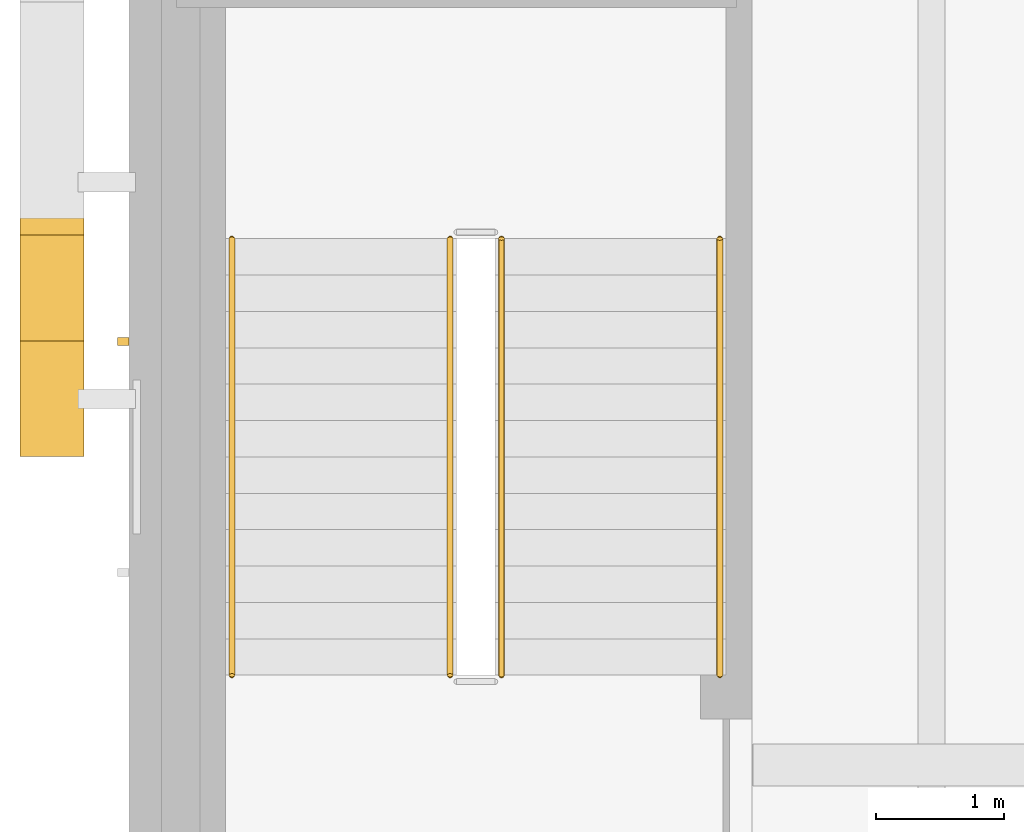
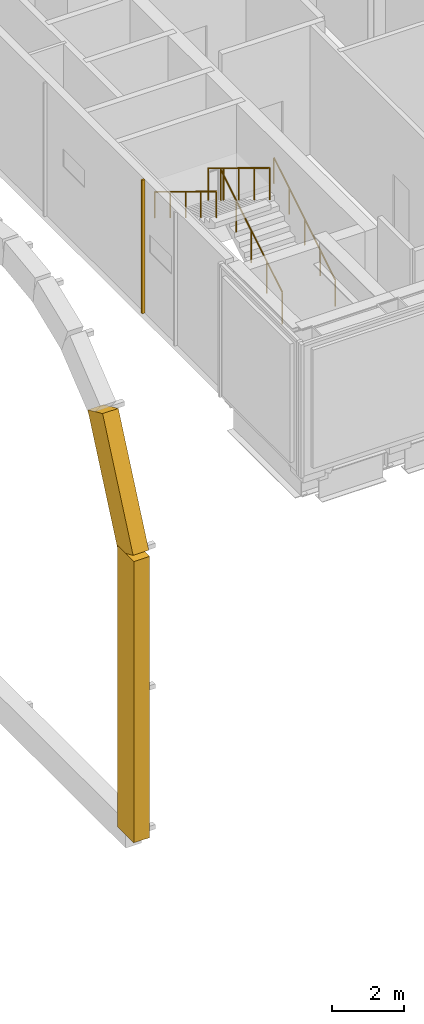
# One storey, part 17 of 26: 4 railings, 3 coverings.
"""IFC4 building model written with IfcOpenShell, lengths in metres."""

from ifc_helpers import new_model, si_unit, direction, frame, origin, origin_2d, place, context, subcontext, project, spatial, rectangle, circle, extrude, material, material_profile, profile_set, type_object, element, save


model = new_model("IFC4")

# Units and contexts
model_context = context("Model", 3, precision=1e-05, world=origin(), true_north=direction((0.0, 1.0)))
body_context = subcontext(model_context, "Body", "Model", "MODEL_VIEW")
ifc_project = project(units=[si_unit("LENGTHUNIT", "METRE"), si_unit("AREAUNIT", "SQUARE_METRE"), si_unit("VOLUMEUNIT", "CUBIC_METRE"), si_unit("PLANEANGLEUNIT", "RADIAN"), si_unit("MASSUNIT", "GRAM", prefix="KILO")], contexts=[model_context])

# Site, building, storey
site_placement = place(None, origin())
site = spatial("IfcSite", under=ifc_project, at=site_placement, CompositionType="ELEMENT")
building_placement = place(site_placement, origin())
building = spatial("IfcBuilding", under=site, at=building_placement, Name="Cobrizo Arcos Hotel Tower", CompositionType="ELEMENT")
storey_placement = place(building_placement, frame((0.0, 0.0, 236.5)))
storey = spatial("IfcBuildingStorey", under=building, at=storey_placement, Name="L62", CompositionType="ELEMENT", Elevation=236.5)

# Coverings
ifc_material_1 = material(Name="Aluminium 6063-T6 anodised pale", Category="aluminium")
ifc_material_profile = material_profile(ifc_material_1, rectangle(XDim=0.5, YDim=0.89990234375, at=origin_2d()), Name="AF-2 core arch rim 500x900")
ifc_profile_set = profile_set([ifc_material_profile], Name="Aluminium 6063-T6 anodised pale")
covering_type_1 = type_object("IfcCoveringType", Name="AF-2 core arch rim 500x900", PredefinedType="CLADDING", material=ifc_profile_set)
covering_1_placement = place(storey_placement, frame((-21.25, -6.748291015625, -7.5615234375), z_axis=(0.0, 0.409445476845, 0.912334588565), x_axis=(-1.0, 0.0, 0.0)))
element("IfcCovering", 1, at=covering_1_placement, inside=storey, type_object=covering_type_1, Name="Arch rim C W face", PredefinedType="CLADDING", context=body_context, shape_type="SweptSolid", body=[
    extrude(rectangle(XDim=0.5, YDim=0.89990234375, at=origin_2d()), origin(), (0.0, 0.0, 1.0), 4.1201171875),
])
covering_2_placement = place(storey_placement, frame((-21.25, -6.748291015625, -17.050048828125), z_axis=(0.0, 0.0, 1.0), x_axis=(1.0, 0.0, 0.0)))
element("IfcCovering", 2, at=covering_2_placement, inside=storey, type_object=covering_type_1, Name="Arch rim C W face", PredefinedType="CLADDING", context=body_context, shape_type="SweptSolid", body=[
    extrude(rectangle(XDim=0.5, YDim=0.89990234375, at=origin_2d()), origin(), (0.0, 0.0, 1.0), 9.488525390625),
])
covering_type_2 = type_object("IfcCoveringType", Name="RS-1 rainscreen rib 60x90", PredefinedType="CLADDING", material=ifc_material_1)
covering_3_placement = place(storey_placement, frame((-20.695068359375, -6.300048828125, 0.0), z_axis=(0.0, 0.0, 1.0), x_axis=(0.0, -1.0, 0.0)))
element("IfcCovering", 3, at=covering_3_placement, inside=storey, type_object=covering_type_2, Name="Rainscreen rib 91", PredefinedType="CLADDING", context=body_context, shape_type="SweptSolid", body=[
    extrude(rectangle(XDim=0.06005859375, YDim=0.090087890625, at=origin_2d()), origin(), (0.0, 0.0, 1.0), 4.5),
])

# Railings
ifc_material_2 = material(Name="Stainless steel railing", Category="steel")
railing_type_1 = type_object("IfcRailingType", Name="Stair guard 1100", PredefinedType="GUARDRAIL", material=ifc_material_2)
railing_1_placement = place(storey_placement, frame((-17.75, -8.89990234375, 0.173095703125)))
element("IfcRailing", 4, at=railing_1_placement, inside=storey, type_object=railing_type_1, Name="L62 ST-W stair guard 1", PredefinedType="GUARDRAIL", context=body_context, shape_type="SweptSolid", body=[
    extrude(circle(Radius=0.02392578125, at=origin_2d()), frame((0.0, 0.0, 1.076171875), z_axis=(0.0, 0.853372706543, 0.52130127923), x_axis=(-1.0, 0.0, 0.0)), (0.0, 0.0, 1.0), 3.984130859375),
    extrude(circle(Radius=0.02099609375, at=origin_2d()), origin(), (0.0, 0.0, 1.0), 1.052001953125),
    extrude(circle(Radius=0.02099609375, at=origin_2d()), frame((0.0, 0.85009765625, 0.519287109375)), (0.0, 0.0, 1.0), 1.052001953125),
    extrude(circle(Radius=0.02099609375, at=origin_2d()), frame((0.0, 1.699951171875, 1.03857421875)), (0.0, 0.0, 1.0), 1.052001953125),
    extrude(circle(Radius=0.02099609375, at=origin_2d()), frame((0.0, 2.5498046875, 1.5576171875)), (0.0, 0.0, 1.0), 1.052001953125),
    extrude(circle(Radius=0.02099609375, at=origin_2d()), frame((0.0, 3.39990234375, 2.076904296875)), (0.0, 0.0, 1.0), 1.052001953125),
])
railing_2_placement = place(storey_placement, frame((-18.14990234375, -5.5, 2.423095703125)))
element("IfcRailing", 5, at=railing_2_placement, inside=storey, type_object=railing_type_1, Name="L62 ST-W stair guard 3", PredefinedType="GUARDRAIL", context=body_context, shape_type="SweptSolid", body=[
    extrude(circle(Radius=0.02392578125, at=origin_2d()), frame((0.0, 0.0, 1.076171875), z_axis=(0.0, -0.853372706543, 0.52130127923), x_axis=(1.0, 0.0, 0.0)), (0.0, 0.0, 1.0), 3.984130859375),
    extrude(circle(Radius=0.02099609375, at=origin_2d()), origin(), (0.0, 0.0, 1.0), 1.052001953125),
    extrude(circle(Radius=0.02099609375, at=origin_2d()), frame((0.0, -0.85009765625, 0.519287109375)), (0.0, 0.0, 1.0), 1.052001953125),
    extrude(circle(Radius=0.02099609375, at=origin_2d()), frame((0.0, -1.699951171875, 1.03857421875)), (0.0, 0.0, 1.0), 1.052001953125),
    extrude(circle(Radius=0.02099609375, at=origin_2d()), frame((0.0, -2.5498046875, 1.5576171875)), (0.0, 0.0, 1.0), 1.052001953125),
    extrude(circle(Radius=0.02099609375, at=origin_2d()), frame((0.0, -3.39990234375, 2.076904296875)), (0.0, 0.0, 1.0), 1.052001953125),
])
railing_type_2 = type_object("IfcRailingType", Name="Stair handrail", PredefinedType="HANDRAIL", material=ifc_material_2)
railing_3_placement = place(storey_placement, frame((-16.050048828125, -8.89990234375, 0.173095703125)))
element("IfcRailing", 6, at=railing_3_placement, inside=storey, type_object=railing_type_2, Name="L62 ST-W stair handrail 1", PredefinedType="HANDRAIL", context=body_context, shape_type="SweptSolid", body=[
    extrude(circle(Radius=0.02392578125, at=origin_2d()), frame((0.0, 0.0, 0.8759765625), z_axis=(0.0, 0.853372706543, 0.52130127923), x_axis=(-1.0, 0.0, 0.0)), (0.0, 0.0, 1.0), 3.984130859375),
    extrude(circle(Radius=0.02099609375, at=origin_2d()), origin(), (0.0, 0.0, 1.0), 0.851806640625),
    extrude(circle(Radius=0.02099609375, at=origin_2d()), frame((0.0, 0.85009765625, 0.519287109375)), (0.0, 0.0, 1.0), 0.851806640625),
    extrude(circle(Radius=0.02099609375, at=origin_2d()), frame((0.0, 1.699951171875, 1.03857421875)), (0.0, 0.0, 1.0), 0.851806640625),
    extrude(circle(Radius=0.02099609375, at=origin_2d()), frame((0.0, 2.5498046875, 1.5576171875)), (0.0, 0.0, 1.0), 0.851806640625),
    extrude(circle(Radius=0.02099609375, at=origin_2d()), frame((0.0, 3.39990234375, 2.076904296875)), (0.0, 0.0, 1.0), 0.851806640625),
])
railing_4_placement = place(storey_placement, frame((-19.85009765625, -5.5, 2.423095703125)))
element("IfcRailing", 7, at=railing_4_placement, inside=storey, type_object=railing_type_2, Name="L62 ST-W stair handrail 2", PredefinedType="HANDRAIL", context=body_context, shape_type="SweptSolid", body=[
    extrude(circle(Radius=0.02392578125, at=origin_2d()), frame((0.0, 0.0, 0.8759765625), z_axis=(0.0, -0.853372706543, 0.52130127923), x_axis=(1.0, 0.0, 0.0)), (0.0, 0.0, 1.0), 3.984130859375),
    extrude(circle(Radius=0.02099609375, at=origin_2d()), origin(), (0.0, 0.0, 1.0), 0.851806640625),
    extrude(circle(Radius=0.02099609375, at=origin_2d()), frame((0.0, -0.85009765625, 0.519287109375)), (0.0, 0.0, 1.0), 0.851806640625),
    extrude(circle(Radius=0.02099609375, at=origin_2d()), frame((0.0, -1.699951171875, 1.03857421875)), (0.0, 0.0, 1.0), 0.851806640625),
    extrude(circle(Radius=0.02099609375, at=origin_2d()), frame((0.0, -2.5498046875, 1.5576171875)), (0.0, 0.0, 1.0), 0.851806640625),
    extrude(circle(Radius=0.02099609375, at=origin_2d()), frame((0.0, -3.39990234375, 2.076904296875)), (0.0, 0.0, 1.0), 0.851806640625),
])

save(model, "model.ifc")
